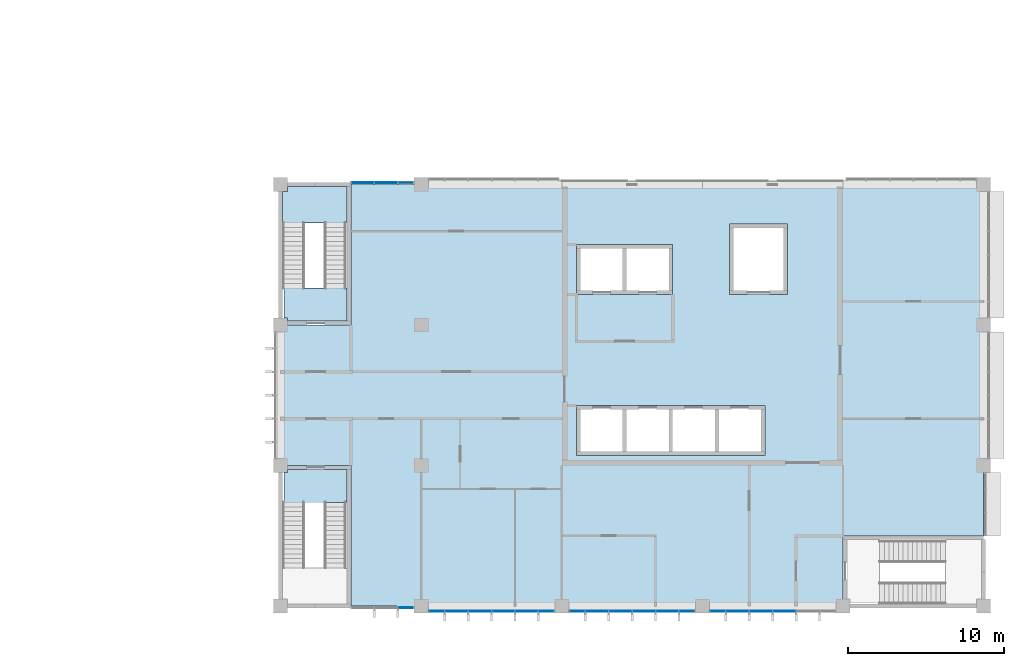
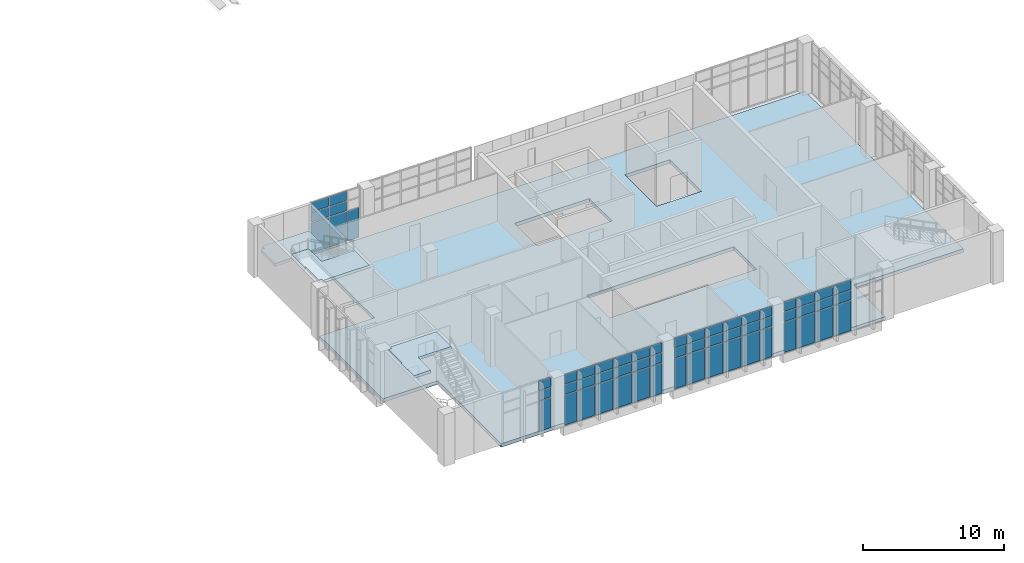
# One storey, part 47 of 79: 58 plates, 4 slabs, 7 elements without a shape of their own.
"""IFC4 building model written with IfcOpenShell, lengths in metres."""

from ifc_helpers import new_model, si_unit, direction, frame, origin, origin_2d, place, context, subcontext, project, spatial, polyline, rectangle, outline, extrude, material, layer, layer_set, type_object, element, aggregate, save


model = new_model("IFC4")

# Units and contexts
model_context = context("Model", 3, precision=1e-05, world=origin(), true_north=direction((0.0, 1.0)))
body_context = subcontext(model_context, "Body", "Model", "MODEL_VIEW")
ifc_project = project(units=[si_unit("LENGTHUNIT", "METRE"), si_unit("AREAUNIT", "SQUARE_METRE"), si_unit("VOLUMEUNIT", "CUBIC_METRE"), si_unit("PLANEANGLEUNIT", "RADIAN"), si_unit("MASSUNIT", "GRAM", prefix="KILO")], contexts=[model_context])

# Site, building, storey
site_placement = place(None, origin())
site = spatial("IfcSite", under=ifc_project, at=site_placement, CompositionType="ELEMENT")
building_placement = place(site_placement, origin())
building = spatial("IfcBuilding", under=site, at=building_placement, Name="Guidao Yard Department Store", CompositionType="ELEMENT")
storey_placement = place(building_placement, frame((0.0, 0.0, 15.0)))
storey = spatial("IfcBuildingStorey", under=building, at=storey_placement, Name="L03", CompositionType="ELEMENT", Elevation=15.0)

# Slab
ifc_material_1 = material(Name="Concrete C35", Category="concrete")
ifc_layer_1 = layer(ifc_material_1, 0.300048828125)
ifc_layer_set_1 = layer_set([ifc_layer_1], Name="Flat slab 300 C35")
slab_type_1 = type_object("IfcSlabType", Name="Flat slab 300 C35", PredefinedType="FLOOR", material=ifc_layer_set_1)
slab_1_placement = place(storey_placement, frame((0.0, 0.0, -0.300048828125)))
element("IfcSlab", 1, at=slab_1_placement, inside=storey, type_object=slab_type_1, Name="Slab L03-O", PredefinedType="FLOOR", context=body_context, shape_type="SweptSolid", body=[
    extrude(outline(polyline([(171.0, 4.5), (162.0, 4.5), (162.0, 0.0), (130.5, 0.0), (130.5, 9.0), (126.0, 9.0), (126.0, 18.0), (130.5, 18.0), (130.5, 27.0), (171.0, 27.0), (171.0, 4.5)]), holes=[polyline([(148.14990234375, 12.85009765625), (147.89990234375, 12.85009765625), (144.949951171875, 12.85009765625), (144.949951171875, 9.64990234375), (147.89990234375, 9.64990234375), (148.14990234375, 9.64990234375), (150.85009765625, 9.64990234375), (151.10009765625, 9.64990234375), (153.800048828125, 9.64990234375), (154.050048828125, 9.64990234375), (157.0, 9.64990234375), (157.0, 12.85009765625), (154.050048828125, 12.85009765625), (153.800048828125, 12.85009765625), (151.10009765625, 12.85009765625), (150.85009765625, 12.85009765625), (148.14990234375, 12.85009765625)]), polyline([(144.949951171875, 19.949951171875), (147.89990234375, 19.949951171875), (148.14990234375, 19.949951171875), (151.10009765625, 19.949951171875), (151.10009765625, 23.14990234375), (148.14990234375, 23.14990234375), (147.89990234375, 23.14990234375), (144.949951171875, 23.14990234375), (144.949951171875, 19.949951171875)]), polyline([(154.75, 19.949951171875), (158.449951171875, 19.949951171875), (158.449951171875, 24.449951171875), (154.75, 24.449951171875), (154.75, 19.949951171875)])]), origin(), (0.0, 0.0, 1.0), 0.300048828125),
])

# Curtain wall, plate
ifc_material_2 = material(Name="Aluminium and glass", Category="aluminium")
ifc_layer_2 = layer(ifc_material_2, 0.159912109375)
ifc_layer_set_2 = layer_set([ifc_layer_2], Name="Unitised curtain wall CW4 1500 module")
curtain_wall_type = type_object("IfcCurtainWallType", Name="Unitised curtain wall CW4 1500 module", PredefinedType="NOTDEFINED", material=ifc_layer_set_2)
curtain_wall_1_placement = place(storey_placement, origin())
curtain_wall_1 = element("IfcCurtainWall", 2, at=curtain_wall_1_placement, inside=storey, type_object=curtain_wall_type, Name="Unitised curtain wall", PredefinedType="NOTDEFINED")
ifc_material_3 = material(Name="Aluminium 6063-T5 faced insulated spandrel", Category="aluminium")
ifc_layer_3 = layer(ifc_material_3, 0.06005859375)
ifc_layer_set_3 = layer_set([ifc_layer_3], Name="Spandrel panel SP1 insulated opaque")
plate_type_1 = type_object("IfcPlateType", Name="Spandrel panel SP1 insulated opaque", PredefinedType="CURTAIN_PANEL", material=ifc_layer_set_3)
plate_1_placement = place(storey_placement, frame((134.010009765625, -0.10009765625, 3.6298828125), z_axis=(0.0, 0.0, 1.0), x_axis=(-1.0, 0.0, 0.0)))
plate_1 = element("IfcPlate", 3, at=plate_1_placement, type_object=plate_type_1, Name="CW-OW-L03-01 panel 3.3", PredefinedType="CURTAIN_PANEL", context=body_context, shape_type="SweptSolid", body=[
    extrude(rectangle(XDim=0.9599609375, YDim=0.06005859375, at=origin_2d()), origin(), (0.0, 0.0, 1.0), 0.81005859375),
])

# Curtain wall, plates
curtain_wall_2_placement = place(storey_placement, origin())
curtain_wall_2 = element("IfcCurtainWall", 4, at=curtain_wall_2_placement, inside=storey, type_object=curtain_wall_type, Name="Unitised curtain wall", PredefinedType="NOTDEFINED")
plate_2_placement = place(storey_placement, frame((135.989990234375, -0.330078125, 3.6298828125), z_axis=(0.0, 0.0, 1.0), x_axis=(-1.0, 0.0, 0.0)))
plate_2 = element("IfcPlate", 5, at=plate_2_placement, type_object=plate_type_1, Name="CW-OW-L03-02 panel 1.3", PredefinedType="CURTAIN_PANEL", context=body_context, shape_type="SweptSolid", body=[
    extrude(rectangle(XDim=0.9599609375, YDim=0.06005859375, at=origin_2d()), origin(), (0.0, 0.0, 1.0), 0.81005859375),
])
plate_3_placement = place(storey_placement, frame((137.25, -0.330078125, 3.6298828125), z_axis=(0.0, 0.0, 1.0), x_axis=(-1.0, 0.0, 0.0)))
plate_3 = element("IfcPlate", 6, at=plate_3_placement, type_object=plate_type_1, Name="CW-OW-L03-02 panel 2.3", PredefinedType="CURTAIN_PANEL", context=body_context, shape_type="SweptSolid", body=[
    extrude(rectangle(XDim=1.43994140625, YDim=0.06005859375, at=origin_2d()), origin(), (0.0, 0.0, 1.0), 0.81005859375),
])
plate_4_placement = place(storey_placement, frame((138.75, -0.330078125, 3.6298828125), z_axis=(0.0, 0.0, 1.0), x_axis=(-1.0, 0.0, 0.0)))
plate_4 = element("IfcPlate", 7, at=plate_4_placement, type_object=plate_type_1, Name="CW-OW-L03-02 panel 3.3", PredefinedType="CURTAIN_PANEL", context=body_context, shape_type="SweptSolid", body=[
    extrude(rectangle(XDim=1.43994140625, YDim=0.06005859375, at=origin_2d()), origin(), (0.0, 0.0, 1.0), 0.81005859375),
])
plate_5_placement = place(storey_placement, frame((140.25, -0.330078125, 3.6298828125), z_axis=(0.0, 0.0, 1.0), x_axis=(-1.0, 0.0, 0.0)))
plate_5 = element("IfcPlate", 8, at=plate_5_placement, type_object=plate_type_1, Name="CW-OW-L03-02 panel 4.3", PredefinedType="CURTAIN_PANEL", context=body_context, shape_type="SweptSolid", body=[
    extrude(rectangle(XDim=1.43994140625, YDim=0.06005859375, at=origin_2d()), origin(), (0.0, 0.0, 1.0), 0.81005859375),
])
plate_6_placement = place(storey_placement, frame((141.75, -0.330078125, 3.6298828125), z_axis=(0.0, 0.0, 1.0), x_axis=(-1.0, 0.0, 0.0)))
plate_6 = element("IfcPlate", 9, at=plate_6_placement, type_object=plate_type_1, Name="CW-OW-L03-02 panel 5.3", PredefinedType="CURTAIN_PANEL", context=body_context, shape_type="SweptSolid", body=[
    extrude(rectangle(XDim=1.43994140625, YDim=0.06005859375, at=origin_2d()), origin(), (0.0, 0.0, 1.0), 0.81005859375),
])
plate_7_placement = place(storey_placement, frame((143.010009765625, -0.330078125, 3.6298828125), z_axis=(0.0, 0.0, 1.0), x_axis=(-1.0, 0.0, 0.0)))
plate_7 = element("IfcPlate", 10, at=plate_7_placement, type_object=plate_type_1, Name="CW-OW-L03-02 panel 6.3", PredefinedType="CURTAIN_PANEL", context=body_context, shape_type="SweptSolid", body=[
    extrude(rectangle(XDim=0.9599609375, YDim=0.06005859375, at=origin_2d()), origin(), (0.0, 0.0, 1.0), 0.81005859375),
])

curtain_wall_3_placement = place(storey_placement, origin())
curtain_wall_3 = element("IfcCurtainWall", 11, at=curtain_wall_3_placement, inside=storey, type_object=curtain_wall_type, Name="Unitised curtain wall", PredefinedType="NOTDEFINED")
plate_8_placement = place(storey_placement, frame((144.989990234375, -0.330078125, 3.6298828125), z_axis=(0.0, 0.0, 1.0), x_axis=(-1.0, 0.0, 0.0)))
plate_8 = element("IfcPlate", 12, at=plate_8_placement, type_object=plate_type_1, Name="CW-OW-L03-03 panel 1.3", PredefinedType="CURTAIN_PANEL", context=body_context, shape_type="SweptSolid", body=[
    extrude(rectangle(XDim=0.9599609375, YDim=0.06005859375, at=origin_2d()), origin(), (0.0, 0.0, 1.0), 0.81005859375),
])
plate_9_placement = place(storey_placement, frame((146.25, -0.330078125, 3.6298828125), z_axis=(0.0, 0.0, 1.0), x_axis=(-1.0, 0.0, 0.0)))
plate_9 = element("IfcPlate", 13, at=plate_9_placement, type_object=plate_type_1, Name="CW-OW-L03-03 panel 2.3", PredefinedType="CURTAIN_PANEL", context=body_context, shape_type="SweptSolid", body=[
    extrude(rectangle(XDim=1.43994140625, YDim=0.06005859375, at=origin_2d()), origin(), (0.0, 0.0, 1.0), 0.81005859375),
])
plate_10_placement = place(storey_placement, frame((147.75, -0.330078125, 3.6298828125), z_axis=(0.0, 0.0, 1.0), x_axis=(-1.0, 0.0, 0.0)))
plate_10 = element("IfcPlate", 14, at=plate_10_placement, type_object=plate_type_1, Name="CW-OW-L03-03 panel 3.3", PredefinedType="CURTAIN_PANEL", context=body_context, shape_type="SweptSolid", body=[
    extrude(rectangle(XDim=1.43994140625, YDim=0.06005859375, at=origin_2d()), origin(), (0.0, 0.0, 1.0), 0.81005859375),
])
plate_11_placement = place(storey_placement, frame((149.25, -0.330078125, 3.6298828125), z_axis=(0.0, 0.0, 1.0), x_axis=(-1.0, 0.0, 0.0)))
plate_11 = element("IfcPlate", 15, at=plate_11_placement, type_object=plate_type_1, Name="CW-OW-L03-03 panel 4.3", PredefinedType="CURTAIN_PANEL", context=body_context, shape_type="SweptSolid", body=[
    extrude(rectangle(XDim=1.43994140625, YDim=0.06005859375, at=origin_2d()), origin(), (0.0, 0.0, 1.0), 0.81005859375),
])
plate_12_placement = place(storey_placement, frame((150.75, -0.330078125, 3.6298828125), z_axis=(0.0, 0.0, 1.0), x_axis=(-1.0, 0.0, 0.0)))
plate_12 = element("IfcPlate", 16, at=plate_12_placement, type_object=plate_type_1, Name="CW-OW-L03-03 panel 5.3", PredefinedType="CURTAIN_PANEL", context=body_context, shape_type="SweptSolid", body=[
    extrude(rectangle(XDim=1.43994140625, YDim=0.06005859375, at=origin_2d()), origin(), (0.0, 0.0, 1.0), 0.81005859375),
])
plate_13_placement = place(storey_placement, frame((152.010009765625, -0.330078125, 3.6298828125), z_axis=(0.0, 0.0, 1.0), x_axis=(-1.0, 0.0, 0.0)))
plate_13 = element("IfcPlate", 17, at=plate_13_placement, type_object=plate_type_1, Name="CW-OW-L03-03 panel 6.3", PredefinedType="CURTAIN_PANEL", context=body_context, shape_type="SweptSolid", body=[
    extrude(rectangle(XDim=0.9599609375, YDim=0.06005859375, at=origin_2d()), origin(), (0.0, 0.0, 1.0), 0.81005859375),
])

curtain_wall_4_placement = place(storey_placement, origin())
curtain_wall_4 = element("IfcCurtainWall", 18, at=curtain_wall_4_placement, inside=storey, type_object=curtain_wall_type, Name="Unitised curtain wall", PredefinedType="NOTDEFINED")
plate_14_placement = place(storey_placement, frame((153.989990234375, -0.330078125, 3.6298828125), z_axis=(0.0, 0.0, 1.0), x_axis=(-1.0, 0.0, 0.0)))
plate_14 = element("IfcPlate", 19, at=plate_14_placement, type_object=plate_type_1, Name="CW-OW-L03-04 panel 1.3", PredefinedType="CURTAIN_PANEL", context=body_context, shape_type="SweptSolid", body=[
    extrude(rectangle(XDim=0.9599609375, YDim=0.06005859375, at=origin_2d()), origin(), (0.0, 0.0, 1.0), 0.81005859375),
])
plate_15_placement = place(storey_placement, frame((155.25, -0.330078125, 3.6298828125), z_axis=(0.0, 0.0, 1.0), x_axis=(-1.0, 0.0, 0.0)))
plate_15 = element("IfcPlate", 20, at=plate_15_placement, type_object=plate_type_1, Name="CW-OW-L03-04 panel 2.3", PredefinedType="CURTAIN_PANEL", context=body_context, shape_type="SweptSolid", body=[
    extrude(rectangle(XDim=1.43994140625, YDim=0.06005859375, at=origin_2d()), origin(), (0.0, 0.0, 1.0), 0.81005859375),
])
plate_16_placement = place(storey_placement, frame((156.75, -0.330078125, 3.6298828125), z_axis=(0.0, 0.0, 1.0), x_axis=(-1.0, 0.0, 0.0)))
plate_16 = element("IfcPlate", 21, at=plate_16_placement, type_object=plate_type_1, Name="CW-OW-L03-04 panel 3.3", PredefinedType="CURTAIN_PANEL", context=body_context, shape_type="SweptSolid", body=[
    extrude(rectangle(XDim=1.43994140625, YDim=0.06005859375, at=origin_2d()), origin(), (0.0, 0.0, 1.0), 0.81005859375),
])
plate_17_placement = place(storey_placement, frame((158.25, -0.330078125, 3.6298828125), z_axis=(0.0, 0.0, 1.0), x_axis=(-1.0, 0.0, 0.0)))
plate_17 = element("IfcPlate", 22, at=plate_17_placement, type_object=plate_type_1, Name="CW-OW-L03-04 panel 4.3", PredefinedType="CURTAIN_PANEL", context=body_context, shape_type="SweptSolid", body=[
    extrude(rectangle(XDim=1.43994140625, YDim=0.06005859375, at=origin_2d()), origin(), (0.0, 0.0, 1.0), 0.81005859375),
])

curtain_wall_5_placement = place(storey_placement, origin())
curtain_wall_5 = element("IfcCurtainWall", 23, at=curtain_wall_5_placement, inside=storey, type_object=curtain_wall_type, Name="Unitised curtain wall", PredefinedType="NOTDEFINED")
plate_18_placement = place(storey_placement, frame((131.264892578125, 27.10009765625, 3.6298828125), z_axis=(0.0, 0.0, 1.0), x_axis=(1.0, 0.0, 0.0)))
plate_18 = element("IfcPlate", 24, at=plate_18_placement, type_object=plate_type_1, Name="CW-OW-L03-06 panel 1.3", PredefinedType="CURTAIN_PANEL", context=body_context, shape_type="SweptSolid", body=[
    extrude(rectangle(XDim=1.409912109375, YDim=0.06005859375, at=origin_2d()), origin(), (0.0, 0.0, 1.0), 0.81005859375),
])
plate_19_placement = place(storey_placement, frame((132.75, 27.10009765625, 3.6298828125), z_axis=(0.0, 0.0, 1.0), x_axis=(1.0, 0.0, 0.0)))
plate_19 = element("IfcPlate", 25, at=plate_19_placement, type_object=plate_type_1, Name="CW-OW-L03-06 panel 2.3", PredefinedType="CURTAIN_PANEL", context=body_context, shape_type="SweptSolid", body=[
    extrude(rectangle(XDim=1.43994140625, YDim=0.06005859375, at=origin_2d()), origin(), (0.0, 0.0, 1.0), 0.81005859375),
])

# Stair, slab
ifc_material_4 = material(Name="Concrete C35", Category="concrete")
stair_type = type_object("IfcStairType", Name="Stair half-turn two-flight 1400 wide 4.5 m rise", PredefinedType="HALF_TURN_STAIR", material=ifc_material_4)
stair_1_placement = place(storey_placement, origin())
stair_1 = element("IfcStair", 26, at=stair_1_placement, inside=storey, type_object=stair_type, Name="Stair O1 L03 to L04", PredefinedType="HALF_TURN_STAIR")
ifc_material_5 = material(Name="Concrete C35", Category="concrete")
ifc_layer_4 = layer(ifc_material_5, 0.25)
ifc_layer_set_4 = layer_set([ifc_layer_4], Name="Stair landing RC 250 C35")
slab_type_2 = type_object("IfcSlabType", Name="Stair landing RC 250 C35", PredefinedType="LANDING", material=ifc_layer_set_4)
slab_2_placement = place(storey_placement, frame((0.0, 0.0, 4.25)))
slab_2 = element("IfcSlab", 27, at=slab_2_placement, type_object=slab_type_2, Name="SO1-L03 landing 2", PredefinedType="LANDING", context=body_context, shape_type="SweptSolid", body=[
    extrude(outline(polyline([(126.125, 6.64990234375), (126.199951171875, 6.64990234375), (126.199951171875, 8.550048828125), (126.449951171875, 8.550048828125), (126.449951171875, 8.75), (128.800048828125, 8.75), (130.25, 8.75), (130.25, 6.639892578125), (128.800048828125, 6.639892578125), (128.800048828125, 6.64990234375), (127.52490234375, 6.64990234375), (127.52490234375, 4.820068359375), (126.125, 4.820068359375), (126.125, 6.64990234375)])), origin(), (0.0, 0.0, 1.0), 0.25),
])
aggregate(stair_1, [slab_2])

# Stair, slabs
stair_2_placement = place(storey_placement, origin())
stair_2 = element("IfcStair", 28, at=stair_2_placement, inside=storey, type_object=stair_type, Name="Stair O3 L03 to L04", PredefinedType="HALF_TURN_STAIR")
slab_3_placement = place(storey_placement, frame((0.0, 0.0, 2.0)))
slab_3 = element("IfcSlab", 29, at=slab_3_placement, type_object=slab_type_2, Name="SO3-L03 landing 1", PredefinedType="LANDING", context=body_context, shape_type="SweptSolid", body=[
    extrude(outline(polyline([(128.800048828125, 24.550048828125), (127.52490234375, 24.550048828125), (127.52490234375, 24.5400390625), (126.125, 24.5400390625), (126.125, 24.550048828125), (126.125, 26.550048828125), (126.449951171875, 26.550048828125), (126.449951171875, 26.875), (130.25, 26.875), (130.25, 24.550048828125), (130.199951171875, 24.550048828125), (130.199951171875, 22.719970703125), (128.800048828125, 22.719970703125), (128.800048828125, 24.550048828125)])), origin(), (0.0, 0.0, 1.0), 0.25),
])
slab_4_placement = place(storey_placement, frame((0.0, 0.0, 4.25)))
slab_4 = element("IfcSlab", 30, at=slab_4_placement, type_object=slab_type_2, Name="SO3-L03 landing 2", PredefinedType="LANDING", context=body_context, shape_type="SweptSolid", body=[
    extrude(outline(polyline([(130.25, 20.360107421875), (130.25, 18.25), (128.800048828125, 18.25), (126.449951171875, 18.25), (126.449951171875, 18.449951171875), (126.199951171875, 18.449951171875), (126.199951171875, 20.35009765625), (126.125, 20.35009765625), (126.125, 22.179931640625), (127.52490234375, 22.179931640625), (127.52490234375, 20.35009765625), (128.800048828125, 20.35009765625), (128.800048828125, 20.360107421875), (130.25, 20.360107421875)])), origin(), (0.0, 0.0, 1.0), 0.25),
])
aggregate(stair_2, [slab_3, slab_4])

# Plate
ifc_material_6 = material(Name="Laminated heat-soaked tempered glass", Category="glass")
ifc_layer_5 = layer(ifc_material_6, 0.017578125)
ifc_layer_set_5 = layer_set([ifc_layer_5], Name="Vision glass VG1 laminated heat-soaked tempered 8+8")
plate_type_2 = type_object("IfcPlateType", Name="Vision glass VG1 laminated heat-soaked tempered 8+8", PredefinedType="CURTAIN_PANEL", material=ifc_layer_set_5)
plate_20_placement = place(storey_placement, frame((134.010009765625, -0.10009765625, 0.06005859375), z_axis=(0.0, 0.0, 1.0), x_axis=(-1.0, 0.0, 0.0)))
plate_20 = element("IfcPlate", 31, at=plate_20_placement, type_object=plate_type_2, Name="CW-OW-L03-01 panel 3.1", PredefinedType="CURTAIN_PANEL", context=body_context, shape_type="SweptSolid", body=[
    extrude(rectangle(XDim=0.9599609375, YDim=0.017578125, at=origin_2d()), origin(), (0.0, 0.0, 1.0), 2.610107421875),
])

plate_21_placement = place(storey_placement, frame((134.010009765625, -0.10009765625, 2.72998046875), z_axis=(0.0, 0.0, 1.0), x_axis=(-1.0, 0.0, 0.0)))
plate_21 = element("IfcPlate", 32, at=plate_21_placement, type_object=plate_type_2, Name="CW-OW-L03-01 panel 3.2", PredefinedType="CURTAIN_PANEL", context=body_context, shape_type="SweptSolid", body=[
    extrude(rectangle(XDim=0.9599609375, YDim=0.017578125, at=origin_2d()), origin(), (0.0, 0.0, 1.0), 0.840087890625),
])

aggregate(curtain_wall_1, [plate_20, plate_21, plate_1])

plate_22_placement = place(storey_placement, frame((135.989990234375, -0.330078125, 0.06005859375), z_axis=(0.0, 0.0, 1.0), x_axis=(-1.0, 0.0, 0.0)))
plate_22 = element("IfcPlate", 33, at=plate_22_placement, type_object=plate_type_2, Name="CW-OW-L03-02 panel 1.1", PredefinedType="CURTAIN_PANEL", context=body_context, shape_type="SweptSolid", body=[
    extrude(rectangle(XDim=0.9599609375, YDim=0.017578125, at=origin_2d()), origin(), (0.0, 0.0, 1.0), 2.610107421875),
])

plate_23_placement = place(storey_placement, frame((135.989990234375, -0.330078125, 2.72998046875), z_axis=(0.0, 0.0, 1.0), x_axis=(-1.0, 0.0, 0.0)))
plate_23 = element("IfcPlate", 34, at=plate_23_placement, type_object=plate_type_2, Name="CW-OW-L03-02 panel 1.2", PredefinedType="CURTAIN_PANEL", context=body_context, shape_type="SweptSolid", body=[
    extrude(rectangle(XDim=0.9599609375, YDim=0.017578125, at=origin_2d()), origin(), (0.0, 0.0, 1.0), 0.840087890625),
])

plate_24_placement = place(storey_placement, frame((137.25, -0.330078125, 0.06005859375), z_axis=(0.0, 0.0, 1.0), x_axis=(-1.0, 0.0, 0.0)))
plate_24 = element("IfcPlate", 35, at=plate_24_placement, type_object=plate_type_2, Name="CW-OW-L03-02 panel 2.1", PredefinedType="CURTAIN_PANEL", context=body_context, shape_type="SweptSolid", body=[
    extrude(rectangle(XDim=1.43994140625, YDim=0.017578125, at=origin_2d()), origin(), (0.0, 0.0, 1.0), 2.610107421875),
])

plate_25_placement = place(storey_placement, frame((137.25, -0.330078125, 2.72998046875), z_axis=(0.0, 0.0, 1.0), x_axis=(-1.0, 0.0, 0.0)))
plate_25 = element("IfcPlate", 36, at=plate_25_placement, type_object=plate_type_2, Name="CW-OW-L03-02 panel 2.2", PredefinedType="CURTAIN_PANEL", context=body_context, shape_type="SweptSolid", body=[
    extrude(rectangle(XDim=1.43994140625, YDim=0.017578125, at=origin_2d()), origin(), (0.0, 0.0, 1.0), 0.840087890625),
])

plate_26_placement = place(storey_placement, frame((138.75, -0.330078125, 0.06005859375), z_axis=(0.0, 0.0, 1.0), x_axis=(-1.0, 0.0, 0.0)))
plate_26 = element("IfcPlate", 37, at=plate_26_placement, type_object=plate_type_2, Name="CW-OW-L03-02 panel 3.1", PredefinedType="CURTAIN_PANEL", context=body_context, shape_type="SweptSolid", body=[
    extrude(rectangle(XDim=1.43994140625, YDim=0.017578125, at=origin_2d()), origin(), (0.0, 0.0, 1.0), 2.610107421875),
])

plate_27_placement = place(storey_placement, frame((138.75, -0.330078125, 2.72998046875), z_axis=(0.0, 0.0, 1.0), x_axis=(-1.0, 0.0, 0.0)))
plate_27 = element("IfcPlate", 38, at=plate_27_placement, type_object=plate_type_2, Name="CW-OW-L03-02 panel 3.2", PredefinedType="CURTAIN_PANEL", context=body_context, shape_type="SweptSolid", body=[
    extrude(rectangle(XDim=1.43994140625, YDim=0.017578125, at=origin_2d()), origin(), (0.0, 0.0, 1.0), 0.840087890625),
])

plate_28_placement = place(storey_placement, frame((140.25, -0.330078125, 0.06005859375), z_axis=(0.0, 0.0, 1.0), x_axis=(-1.0, 0.0, 0.0)))
plate_28 = element("IfcPlate", 39, at=plate_28_placement, type_object=plate_type_2, Name="CW-OW-L03-02 panel 4.1", PredefinedType="CURTAIN_PANEL", context=body_context, shape_type="SweptSolid", body=[
    extrude(rectangle(XDim=1.43994140625, YDim=0.017578125, at=origin_2d()), origin(), (0.0, 0.0, 1.0), 2.610107421875),
])

plate_29_placement = place(storey_placement, frame((140.25, -0.330078125, 2.72998046875), z_axis=(0.0, 0.0, 1.0), x_axis=(-1.0, 0.0, 0.0)))
plate_29 = element("IfcPlate", 40, at=plate_29_placement, type_object=plate_type_2, Name="CW-OW-L03-02 panel 4.2", PredefinedType="CURTAIN_PANEL", context=body_context, shape_type="SweptSolid", body=[
    extrude(rectangle(XDim=1.43994140625, YDim=0.017578125, at=origin_2d()), origin(), (0.0, 0.0, 1.0), 0.840087890625),
])

plate_30_placement = place(storey_placement, frame((141.75, -0.330078125, 0.06005859375), z_axis=(0.0, 0.0, 1.0), x_axis=(-1.0, 0.0, 0.0)))
plate_30 = element("IfcPlate", 41, at=plate_30_placement, type_object=plate_type_2, Name="CW-OW-L03-02 panel 5.1", PredefinedType="CURTAIN_PANEL", context=body_context, shape_type="SweptSolid", body=[
    extrude(rectangle(XDim=1.43994140625, YDim=0.017578125, at=origin_2d()), origin(), (0.0, 0.0, 1.0), 2.610107421875),
])

plate_31_placement = place(storey_placement, frame((141.75, -0.330078125, 2.72998046875), z_axis=(0.0, 0.0, 1.0), x_axis=(-1.0, 0.0, 0.0)))
plate_31 = element("IfcPlate", 42, at=plate_31_placement, type_object=plate_type_2, Name="CW-OW-L03-02 panel 5.2", PredefinedType="CURTAIN_PANEL", context=body_context, shape_type="SweptSolid", body=[
    extrude(rectangle(XDim=1.43994140625, YDim=0.017578125, at=origin_2d()), origin(), (0.0, 0.0, 1.0), 0.840087890625),
])

plate_32_placement = place(storey_placement, frame((143.010009765625, -0.330078125, 0.06005859375), z_axis=(0.0, 0.0, 1.0), x_axis=(-1.0, 0.0, 0.0)))
plate_32 = element("IfcPlate", 43, at=plate_32_placement, type_object=plate_type_2, Name="CW-OW-L03-02 panel 6.1", PredefinedType="CURTAIN_PANEL", context=body_context, shape_type="SweptSolid", body=[
    extrude(rectangle(XDim=0.9599609375, YDim=0.017578125, at=origin_2d()), origin(), (0.0, 0.0, 1.0), 2.610107421875),
])

plate_33_placement = place(storey_placement, frame((143.010009765625, -0.330078125, 2.72998046875), z_axis=(0.0, 0.0, 1.0), x_axis=(-1.0, 0.0, 0.0)))
plate_33 = element("IfcPlate", 44, at=plate_33_placement, type_object=plate_type_2, Name="CW-OW-L03-02 panel 6.2", PredefinedType="CURTAIN_PANEL", context=body_context, shape_type="SweptSolid", body=[
    extrude(rectangle(XDim=0.9599609375, YDim=0.017578125, at=origin_2d()), origin(), (0.0, 0.0, 1.0), 0.840087890625),
])

aggregate(curtain_wall_2, [plate_22, plate_23, plate_2, plate_24, plate_25, plate_3, plate_26, plate_27, plate_4, plate_28, plate_29, plate_5, plate_30, plate_31, plate_6, plate_32, plate_33, plate_7])

plate_34_placement = place(storey_placement, frame((144.989990234375, -0.330078125, 0.06005859375), z_axis=(0.0, 0.0, 1.0), x_axis=(-1.0, 0.0, 0.0)))
plate_34 = element("IfcPlate", 45, at=plate_34_placement, type_object=plate_type_2, Name="CW-OW-L03-03 panel 1.1", PredefinedType="CURTAIN_PANEL", context=body_context, shape_type="SweptSolid", body=[
    extrude(rectangle(XDim=0.9599609375, YDim=0.017578125, at=origin_2d()), origin(), (0.0, 0.0, 1.0), 2.610107421875),
])

plate_35_placement = place(storey_placement, frame((144.989990234375, -0.330078125, 2.72998046875), z_axis=(0.0, 0.0, 1.0), x_axis=(-1.0, 0.0, 0.0)))
plate_35 = element("IfcPlate", 46, at=plate_35_placement, type_object=plate_type_2, Name="CW-OW-L03-03 panel 1.2", PredefinedType="CURTAIN_PANEL", context=body_context, shape_type="SweptSolid", body=[
    extrude(rectangle(XDim=0.9599609375, YDim=0.017578125, at=origin_2d()), origin(), (0.0, 0.0, 1.0), 0.840087890625),
])

plate_36_placement = place(storey_placement, frame((146.25, -0.330078125, 0.06005859375), z_axis=(0.0, 0.0, 1.0), x_axis=(-1.0, 0.0, 0.0)))
plate_36 = element("IfcPlate", 47, at=plate_36_placement, type_object=plate_type_2, Name="CW-OW-L03-03 panel 2.1", PredefinedType="CURTAIN_PANEL", context=body_context, shape_type="SweptSolid", body=[
    extrude(rectangle(XDim=1.43994140625, YDim=0.017578125, at=origin_2d()), origin(), (0.0, 0.0, 1.0), 2.610107421875),
])

plate_37_placement = place(storey_placement, frame((146.25, -0.330078125, 2.72998046875), z_axis=(0.0, 0.0, 1.0), x_axis=(-1.0, 0.0, 0.0)))
plate_37 = element("IfcPlate", 48, at=plate_37_placement, type_object=plate_type_2, Name="CW-OW-L03-03 panel 2.2", PredefinedType="CURTAIN_PANEL", context=body_context, shape_type="SweptSolid", body=[
    extrude(rectangle(XDim=1.43994140625, YDim=0.017578125, at=origin_2d()), origin(), (0.0, 0.0, 1.0), 0.840087890625),
])

plate_38_placement = place(storey_placement, frame((147.75, -0.330078125, 0.06005859375), z_axis=(0.0, 0.0, 1.0), x_axis=(-1.0, 0.0, 0.0)))
plate_38 = element("IfcPlate", 49, at=plate_38_placement, type_object=plate_type_2, Name="CW-OW-L03-03 panel 3.1", PredefinedType="CURTAIN_PANEL", context=body_context, shape_type="SweptSolid", body=[
    extrude(rectangle(XDim=1.43994140625, YDim=0.017578125, at=origin_2d()), origin(), (0.0, 0.0, 1.0), 2.610107421875),
])

plate_39_placement = place(storey_placement, frame((147.75, -0.330078125, 2.72998046875), z_axis=(0.0, 0.0, 1.0), x_axis=(-1.0, 0.0, 0.0)))
plate_39 = element("IfcPlate", 50, at=plate_39_placement, type_object=plate_type_2, Name="CW-OW-L03-03 panel 3.2", PredefinedType="CURTAIN_PANEL", context=body_context, shape_type="SweptSolid", body=[
    extrude(rectangle(XDim=1.43994140625, YDim=0.017578125, at=origin_2d()), origin(), (0.0, 0.0, 1.0), 0.840087890625),
])

plate_40_placement = place(storey_placement, frame((149.25, -0.330078125, 0.06005859375), z_axis=(0.0, 0.0, 1.0), x_axis=(-1.0, 0.0, 0.0)))
plate_40 = element("IfcPlate", 51, at=plate_40_placement, type_object=plate_type_2, Name="CW-OW-L03-03 panel 4.1", PredefinedType="CURTAIN_PANEL", context=body_context, shape_type="SweptSolid", body=[
    extrude(rectangle(XDim=1.43994140625, YDim=0.017578125, at=origin_2d()), origin(), (0.0, 0.0, 1.0), 2.610107421875),
])

plate_41_placement = place(storey_placement, frame((149.25, -0.330078125, 2.72998046875), z_axis=(0.0, 0.0, 1.0), x_axis=(-1.0, 0.0, 0.0)))
plate_41 = element("IfcPlate", 52, at=plate_41_placement, type_object=plate_type_2, Name="CW-OW-L03-03 panel 4.2", PredefinedType="CURTAIN_PANEL", context=body_context, shape_type="SweptSolid", body=[
    extrude(rectangle(XDim=1.43994140625, YDim=0.017578125, at=origin_2d()), origin(), (0.0, 0.0, 1.0), 0.840087890625),
])

plate_42_placement = place(storey_placement, frame((150.75, -0.330078125, 0.06005859375), z_axis=(0.0, 0.0, 1.0), x_axis=(-1.0, 0.0, 0.0)))
plate_42 = element("IfcPlate", 53, at=plate_42_placement, type_object=plate_type_2, Name="CW-OW-L03-03 panel 5.1", PredefinedType="CURTAIN_PANEL", context=body_context, shape_type="SweptSolid", body=[
    extrude(rectangle(XDim=1.43994140625, YDim=0.017578125, at=origin_2d()), origin(), (0.0, 0.0, 1.0), 2.610107421875),
])

plate_43_placement = place(storey_placement, frame((150.75, -0.330078125, 2.72998046875), z_axis=(0.0, 0.0, 1.0), x_axis=(-1.0, 0.0, 0.0)))
plate_43 = element("IfcPlate", 54, at=plate_43_placement, type_object=plate_type_2, Name="CW-OW-L03-03 panel 5.2", PredefinedType="CURTAIN_PANEL", context=body_context, shape_type="SweptSolid", body=[
    extrude(rectangle(XDim=1.43994140625, YDim=0.017578125, at=origin_2d()), origin(), (0.0, 0.0, 1.0), 0.840087890625),
])

plate_44_placement = place(storey_placement, frame((152.010009765625, -0.330078125, 0.06005859375), z_axis=(0.0, 0.0, 1.0), x_axis=(-1.0, 0.0, 0.0)))
plate_44 = element("IfcPlate", 55, at=plate_44_placement, type_object=plate_type_2, Name="CW-OW-L03-03 panel 6.1", PredefinedType="CURTAIN_PANEL", context=body_context, shape_type="SweptSolid", body=[
    extrude(rectangle(XDim=0.9599609375, YDim=0.017578125, at=origin_2d()), origin(), (0.0, 0.0, 1.0), 2.610107421875),
])

plate_45_placement = place(storey_placement, frame((152.010009765625, -0.330078125, 2.72998046875), z_axis=(0.0, 0.0, 1.0), x_axis=(-1.0, 0.0, 0.0)))
plate_45 = element("IfcPlate", 56, at=plate_45_placement, type_object=plate_type_2, Name="CW-OW-L03-03 panel 6.2", PredefinedType="CURTAIN_PANEL", context=body_context, shape_type="SweptSolid", body=[
    extrude(rectangle(XDim=0.9599609375, YDim=0.017578125, at=origin_2d()), origin(), (0.0, 0.0, 1.0), 0.840087890625),
])

aggregate(curtain_wall_3, [plate_34, plate_35, plate_8, plate_36, plate_37, plate_9, plate_38, plate_39, plate_10, plate_40, plate_41, plate_11, plate_42, plate_43, plate_12, plate_44, plate_45, plate_13])

plate_46_placement = place(storey_placement, frame((153.989990234375, -0.330078125, 0.06005859375), z_axis=(0.0, 0.0, 1.0), x_axis=(-1.0, 0.0, 0.0)))
plate_46 = element("IfcPlate", 57, at=plate_46_placement, type_object=plate_type_2, Name="CW-OW-L03-04 panel 1.1", PredefinedType="CURTAIN_PANEL", context=body_context, shape_type="SweptSolid", body=[
    extrude(rectangle(XDim=0.9599609375, YDim=0.017578125, at=origin_2d()), origin(), (0.0, 0.0, 1.0), 2.610107421875),
])

plate_47_placement = place(storey_placement, frame((153.989990234375, -0.330078125, 2.72998046875), z_axis=(0.0, 0.0, 1.0), x_axis=(-1.0, 0.0, 0.0)))
plate_47 = element("IfcPlate", 58, at=plate_47_placement, type_object=plate_type_2, Name="CW-OW-L03-04 panel 1.2", PredefinedType="CURTAIN_PANEL", context=body_context, shape_type="SweptSolid", body=[
    extrude(rectangle(XDim=0.9599609375, YDim=0.017578125, at=origin_2d()), origin(), (0.0, 0.0, 1.0), 0.840087890625),
])

plate_48_placement = place(storey_placement, frame((155.25, -0.330078125, 0.06005859375), z_axis=(0.0, 0.0, 1.0), x_axis=(-1.0, 0.0, 0.0)))
plate_48 = element("IfcPlate", 59, at=plate_48_placement, type_object=plate_type_2, Name="CW-OW-L03-04 panel 2.1", PredefinedType="CURTAIN_PANEL", context=body_context, shape_type="SweptSolid", body=[
    extrude(rectangle(XDim=1.43994140625, YDim=0.017578125, at=origin_2d()), origin(), (0.0, 0.0, 1.0), 2.610107421875),
])

plate_49_placement = place(storey_placement, frame((155.25, -0.330078125, 2.72998046875), z_axis=(0.0, 0.0, 1.0), x_axis=(-1.0, 0.0, 0.0)))
plate_49 = element("IfcPlate", 60, at=plate_49_placement, type_object=plate_type_2, Name="CW-OW-L03-04 panel 2.2", PredefinedType="CURTAIN_PANEL", context=body_context, shape_type="SweptSolid", body=[
    extrude(rectangle(XDim=1.43994140625, YDim=0.017578125, at=origin_2d()), origin(), (0.0, 0.0, 1.0), 0.840087890625),
])

plate_50_placement = place(storey_placement, frame((156.75, -0.330078125, 0.06005859375), z_axis=(0.0, 0.0, 1.0), x_axis=(-1.0, 0.0, 0.0)))
plate_50 = element("IfcPlate", 61, at=plate_50_placement, type_object=plate_type_2, Name="CW-OW-L03-04 panel 3.1", PredefinedType="CURTAIN_PANEL", context=body_context, shape_type="SweptSolid", body=[
    extrude(rectangle(XDim=1.43994140625, YDim=0.017578125, at=origin_2d()), origin(), (0.0, 0.0, 1.0), 2.610107421875),
])

plate_51_placement = place(storey_placement, frame((156.75, -0.330078125, 2.72998046875), z_axis=(0.0, 0.0, 1.0), x_axis=(-1.0, 0.0, 0.0)))
plate_51 = element("IfcPlate", 62, at=plate_51_placement, type_object=plate_type_2, Name="CW-OW-L03-04 panel 3.2", PredefinedType="CURTAIN_PANEL", context=body_context, shape_type="SweptSolid", body=[
    extrude(rectangle(XDim=1.43994140625, YDim=0.017578125, at=origin_2d()), origin(), (0.0, 0.0, 1.0), 0.840087890625),
])

plate_52_placement = place(storey_placement, frame((158.25, -0.330078125, 0.06005859375), z_axis=(0.0, 0.0, 1.0), x_axis=(-1.0, 0.0, 0.0)))
plate_52 = element("IfcPlate", 63, at=plate_52_placement, type_object=plate_type_2, Name="CW-OW-L03-04 panel 4.1", PredefinedType="CURTAIN_PANEL", context=body_context, shape_type="SweptSolid", body=[
    extrude(rectangle(XDim=1.43994140625, YDim=0.017578125, at=origin_2d()), origin(), (0.0, 0.0, 1.0), 2.610107421875),
])

plate_53_placement = place(storey_placement, frame((158.25, -0.330078125, 2.72998046875), z_axis=(0.0, 0.0, 1.0), x_axis=(-1.0, 0.0, 0.0)))
plate_53 = element("IfcPlate", 64, at=plate_53_placement, type_object=plate_type_2, Name="CW-OW-L03-04 panel 4.2", PredefinedType="CURTAIN_PANEL", context=body_context, shape_type="SweptSolid", body=[
    extrude(rectangle(XDim=1.43994140625, YDim=0.017578125, at=origin_2d()), origin(), (0.0, 0.0, 1.0), 0.840087890625),
])

aggregate(curtain_wall_4, [plate_46, plate_47, plate_14, plate_48, plate_49, plate_15, plate_50, plate_51, plate_16, plate_52, plate_53, plate_17])

plate_54_placement = place(storey_placement, frame((131.264892578125, 27.10009765625, 0.06005859375), z_axis=(0.0, 0.0, 1.0), x_axis=(1.0, 0.0, 0.0)))
plate_54 = element("IfcPlate", 65, at=plate_54_placement, type_object=plate_type_2, Name="CW-OW-L03-06 panel 1.1", PredefinedType="CURTAIN_PANEL", context=body_context, shape_type="SweptSolid", body=[
    extrude(rectangle(XDim=1.409912109375, YDim=0.017578125, at=origin_2d()), origin(), (0.0, 0.0, 1.0), 2.610107421875),
])

plate_55_placement = place(storey_placement, frame((131.264892578125, 27.10009765625, 2.72998046875), z_axis=(0.0, 0.0, 1.0), x_axis=(1.0, 0.0, 0.0)))
plate_55 = element("IfcPlate", 66, at=plate_55_placement, type_object=plate_type_2, Name="CW-OW-L03-06 panel 1.2", PredefinedType="CURTAIN_PANEL", context=body_context, shape_type="SweptSolid", body=[
    extrude(rectangle(XDim=1.409912109375, YDim=0.017578125, at=origin_2d()), origin(), (0.0, 0.0, 1.0), 0.840087890625),
])

plate_56_placement = place(storey_placement, frame((132.75, 27.10009765625, 0.06005859375), z_axis=(0.0, 0.0, 1.0), x_axis=(1.0, 0.0, 0.0)))
plate_56 = element("IfcPlate", 67, at=plate_56_placement, type_object=plate_type_2, Name="CW-OW-L03-06 panel 2.1", PredefinedType="CURTAIN_PANEL", context=body_context, shape_type="SweptSolid", body=[
    extrude(rectangle(XDim=1.43994140625, YDim=0.017578125, at=origin_2d()), origin(), (0.0, 0.0, 1.0), 2.610107421875),
])

plate_57_placement = place(storey_placement, frame((132.75, 27.10009765625, 2.72998046875), z_axis=(0.0, 0.0, 1.0), x_axis=(1.0, 0.0, 0.0)))
plate_57 = element("IfcPlate", 68, at=plate_57_placement, type_object=plate_type_2, Name="CW-OW-L03-06 panel 2.2", PredefinedType="CURTAIN_PANEL", context=body_context, shape_type="SweptSolid", body=[
    extrude(rectangle(XDim=1.43994140625, YDim=0.017578125, at=origin_2d()), origin(), (0.0, 0.0, 1.0), 0.840087890625),
])

plate_58_placement = place(storey_placement, frame((134.010009765625, 27.10009765625, 0.06005859375), z_axis=(0.0, 0.0, 1.0), x_axis=(1.0, 0.0, 0.0)))
plate_58 = element("IfcPlate", 69, at=plate_58_placement, type_object=plate_type_2, Name="CW-OW-L03-06 panel 3.1", PredefinedType="CURTAIN_PANEL", context=body_context, shape_type="SweptSolid", body=[
    extrude(rectangle(XDim=0.9599609375, YDim=0.017578125, at=origin_2d()), origin(), (0.0, 0.0, 1.0), 2.610107421875),
])

aggregate(curtain_wall_5, [plate_54, plate_55, plate_18, plate_56, plate_57, plate_19, plate_58])

save(model, "model.ifc")
